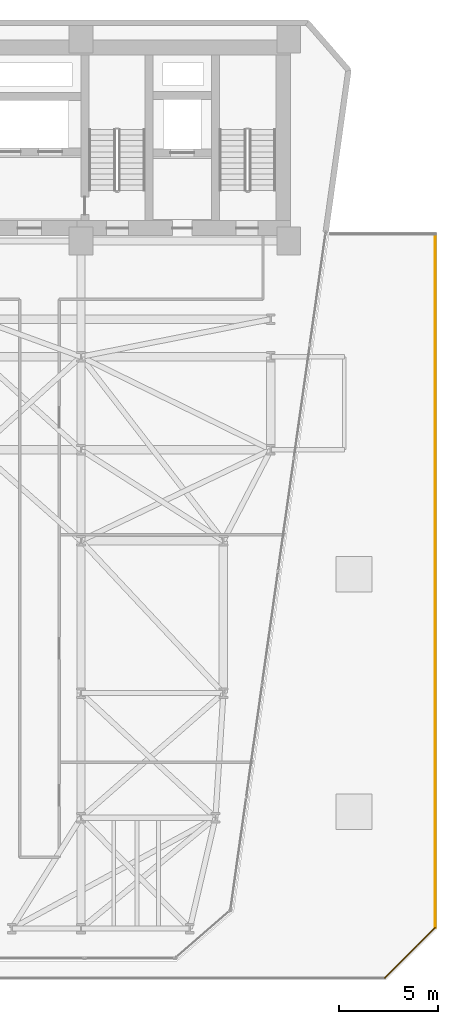
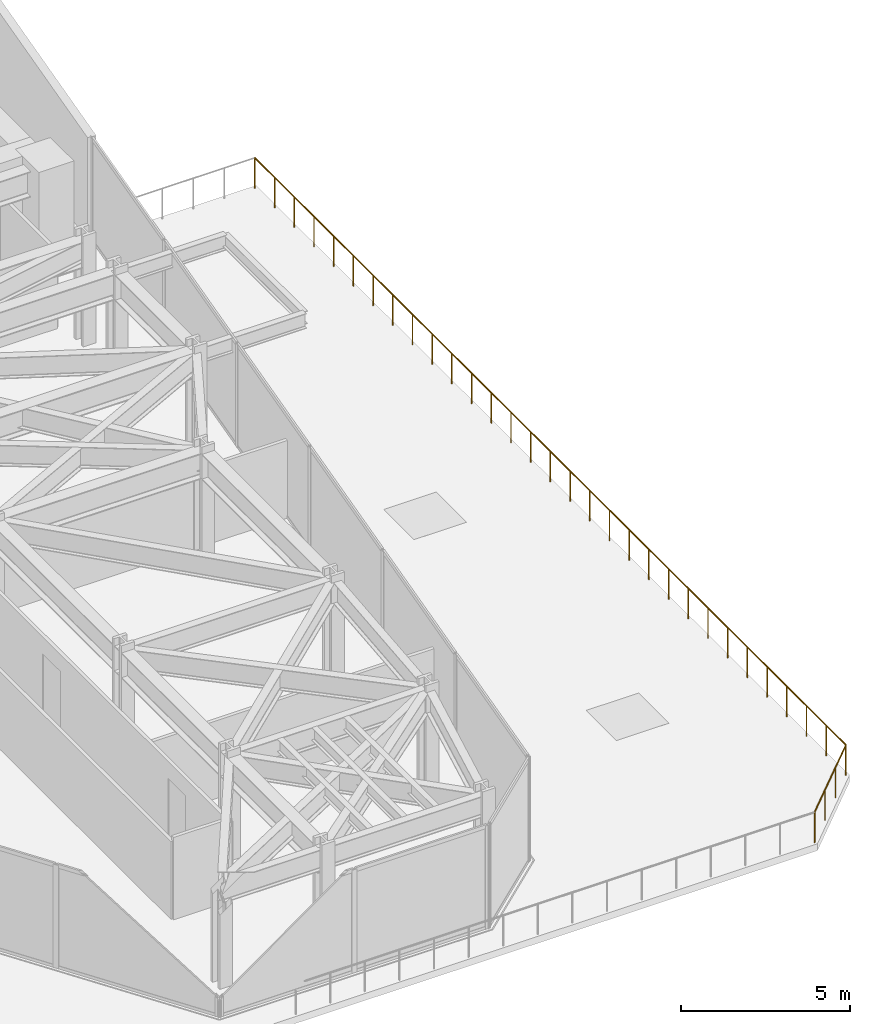
# One storey, part 24 of 25: 2 railings.
"""IFC4 building model written with IfcOpenShell, lengths in metres."""

from ifc_helpers import new_model, si_unit, direction, frame, origin, origin_2d, place, context, subcontext, project, spatial, circle, extrude, material, layer, layer_set, type_object, element, save


model = new_model("IFC4")

# Units and contexts
model_context = context("Model", 3, precision=1e-05, world=origin(), true_north=direction((0.0, 1.0)))
body_context = subcontext(model_context, "Body", "Model", "MODEL_VIEW")
ifc_project = project(units=[si_unit("LENGTHUNIT", "METRE"), si_unit("AREAUNIT", "SQUARE_METRE"), si_unit("VOLUMEUNIT", "CUBIC_METRE"), si_unit("PLANEANGLEUNIT", "RADIAN"), si_unit("MASSUNIT", "GRAM", prefix="KILO")], contexts=[model_context])

# Site, building, storey
site_placement = place(None, origin())
site = spatial("IfcSite", under=ifc_project, at=site_placement, CompositionType="ELEMENT")
building_placement = place(site_placement, origin())
building = spatial("IfcBuilding", under=site, at=building_placement, Name="Kravanh Interchange Tower", CompositionType="ELEMENT")
storey_placement = place(building_placement, frame((0.0, 0.0, 29.5)))
storey = spatial("IfcBuildingStorey", under=building, at=storey_placement, Name="L06", CompositionType="ELEMENT", Elevation=29.5)

# Railings
ifc_material = material(Name="Stainless Steel 316", Category="steel")
ifc_layer = layer(ifc_material, 0.06005859375)
ifc_layer_set = layer_set([ifc_layer], Name="Perimeter Balcony and Terrace Guardrail Stainless 316 1120mm")
railing_type = type_object("IfcRailingType", Name="Perimeter Balcony and Terrace Guardrail Stainless 316 1120mm", PredefinedType="GUARDRAIL", material=ifc_layer_set)
railing_1_placement = place(storey_placement, frame((73.89990234375, 2.641357421875, 0.0)))
element("IfcRailing", 1, at=railing_1_placement, inside=storey, type_object=railing_type, Name="L06 Stepped Terrace Guardrail 1", PredefinedType="GUARDRAIL", context=body_context, shape_type="SweptSolid", body=[
    extrude(circle(Radius=0.02392578125, at=origin_2d()), frame((0.0, 0.0, 1.09619140625), z_axis=(-0.707106781187, -0.707106781187, 0.0), x_axis=(0.707106781187, -0.707106781187, 0.0)), (0.0, 0.0, 1.0), 3.593994140625),
    extrude(circle(Radius=0.02099609375, at=origin_2d()), origin(), (0.0, 0.0, 1.0), 1.072021484375),
    extrude(circle(Radius=0.02099609375, at=origin_2d()), frame((-0.84716796875, -0.84716796875, 0.0)), (0.0, 0.0, 1.0), 1.072021484375),
    extrude(circle(Radius=0.02099609375, at=origin_2d()), frame((-1.694091796875, -1.694091796875, 0.0)), (0.0, 0.0, 1.0), 1.072021484375),
    extrude(circle(Radius=0.02099609375, at=origin_2d()), frame((-2.541259765625, -2.541259765625, 0.0)), (0.0, 0.0, 1.0), 1.072021484375),
])
railing_2_placement = place(storey_placement, frame((73.89990234375, 37.699951171875, 0.0)))
element("IfcRailing", 2, at=railing_2_placement, inside=storey, type_object=railing_type, Name="L06 Stepped Terrace Guardrail 15", PredefinedType="GUARDRAIL", context=body_context, shape_type="SweptSolid", body=[
    extrude(circle(Radius=0.02392578125, at=origin_2d()), frame((0.0, 0.0, 1.09619140625), z_axis=(0.0, -1.0, 0.0), x_axis=(1.0, 0.0, 0.0)), (0.0, 0.0, 1.0), 35.05859375),
    extrude(circle(Radius=0.02099609375, at=origin_2d()), origin(), (0.0, 0.0, 1.0), 1.072021484375),
    extrude(circle(Radius=0.02099609375, at=origin_2d()), frame((0.0, -1.168701171875, 0.0)), (0.0, 0.0, 1.0), 1.072021484375),
    extrude(circle(Radius=0.02099609375, at=origin_2d()), frame((0.0, -2.337158203125, 0.0)), (0.0, 0.0, 1.0), 1.072021484375),
    extrude(circle(Radius=0.02099609375, at=origin_2d()), frame((0.0, -3.505859375, 0.0)), (0.0, 0.0, 1.0), 1.072021484375),
    extrude(circle(Radius=0.02099609375, at=origin_2d()), frame((0.0, -4.674560546875, 0.0)), (0.0, 0.0, 1.0), 1.072021484375),
    extrude(circle(Radius=0.02099609375, at=origin_2d()), frame((0.0, -5.843017578125, 0.0)), (0.0, 0.0, 1.0), 1.072021484375),
    extrude(circle(Radius=0.02099609375, at=origin_2d()), frame((0.0, -7.01171875, 0.0)), (0.0, 0.0, 1.0), 1.072021484375),
    extrude(circle(Radius=0.02099609375, at=origin_2d()), frame((0.0, -8.180419921875, 0.0)), (0.0, 0.0, 1.0), 1.072021484375),
    extrude(circle(Radius=0.02099609375, at=origin_2d()), frame((0.0, -9.348876953125, 0.0)), (0.0, 0.0, 1.0), 1.072021484375),
    extrude(circle(Radius=0.02099609375, at=origin_2d()), frame((0.0, -10.517578125, 0.0)), (0.0, 0.0, 1.0), 1.072021484375),
    extrude(circle(Radius=0.02099609375, at=origin_2d()), frame((0.0, -11.686279296875, 0.0)), (0.0, 0.0, 1.0), 1.072021484375),
    extrude(circle(Radius=0.02099609375, at=origin_2d()), frame((0.0, -12.854736328125, 0.0)), (0.0, 0.0, 1.0), 1.072021484375),
    extrude(circle(Radius=0.02099609375, at=origin_2d()), frame((0.0, -14.0234375, 0.0)), (0.0, 0.0, 1.0), 1.072021484375),
    extrude(circle(Radius=0.02099609375, at=origin_2d()), frame((0.0, -15.192138671875, 0.0)), (0.0, 0.0, 1.0), 1.072021484375),
    extrude(circle(Radius=0.02099609375, at=origin_2d()), frame((0.0, -16.360595703125, 0.0)), (0.0, 0.0, 1.0), 1.072021484375),
    extrude(circle(Radius=0.02099609375, at=origin_2d()), frame((0.0, -17.529296875, 0.0)), (0.0, 0.0, 1.0), 1.072021484375),
    extrude(circle(Radius=0.02099609375, at=origin_2d()), frame((0.0, -18.697998046875, 0.0)), (0.0, 0.0, 1.0), 1.072021484375),
    extrude(circle(Radius=0.02099609375, at=origin_2d()), frame((0.0, -19.866455078125, 0.0)), (0.0, 0.0, 1.0), 1.072021484375),
    extrude(circle(Radius=0.02099609375, at=origin_2d()), frame((0.0, -21.03515625, 0.0)), (0.0, 0.0, 1.0), 1.072021484375),
    extrude(circle(Radius=0.02099609375, at=origin_2d()), frame((0.0, -22.203857421875, 0.0)), (0.0, 0.0, 1.0), 1.072021484375),
    extrude(circle(Radius=0.02099609375, at=origin_2d()), frame((0.0, -23.372314453125, 0.0)), (0.0, 0.0, 1.0), 1.072021484375),
    extrude(circle(Radius=0.02099609375, at=origin_2d()), frame((0.0, -24.541015625, 0.0)), (0.0, 0.0, 1.0), 1.072021484375),
    extrude(circle(Radius=0.02099609375, at=origin_2d()), frame((0.0, -25.709716796875, 0.0)), (0.0, 0.0, 1.0), 1.072021484375),
    extrude(circle(Radius=0.02099609375, at=origin_2d()), frame((0.0, -26.878173828125, 0.0)), (0.0, 0.0, 1.0), 1.072021484375),
    extrude(circle(Radius=0.02099609375, at=origin_2d()), frame((0.0, -28.046875, 0.0)), (0.0, 0.0, 1.0), 1.072021484375),
    extrude(circle(Radius=0.02099609375, at=origin_2d()), frame((0.0, -29.215576171875, 0.0)), (0.0, 0.0, 1.0), 1.072021484375),
    extrude(circle(Radius=0.02099609375, at=origin_2d()), frame((0.0, -30.384033203125, 0.0)), (0.0, 0.0, 1.0), 1.072021484375),
    extrude(circle(Radius=0.02099609375, at=origin_2d()), frame((0.0, -31.552734375, 0.0)), (0.0, 0.0, 1.0), 1.072021484375),
    extrude(circle(Radius=0.02099609375, at=origin_2d()), frame((0.0, -32.721435546875, 0.0)), (0.0, 0.0, 1.0), 1.072021484375),
    extrude(circle(Radius=0.02099609375, at=origin_2d()), frame((0.0, -33.889892578125, 0.0)), (0.0, 0.0, 1.0), 1.072021484375),
    extrude(circle(Radius=0.02099609375, at=origin_2d()), frame((0.0, -35.05859375, 0.0)), (0.0, 0.0, 1.0), 1.072021484375),
])

save(model, "model.ifc")
